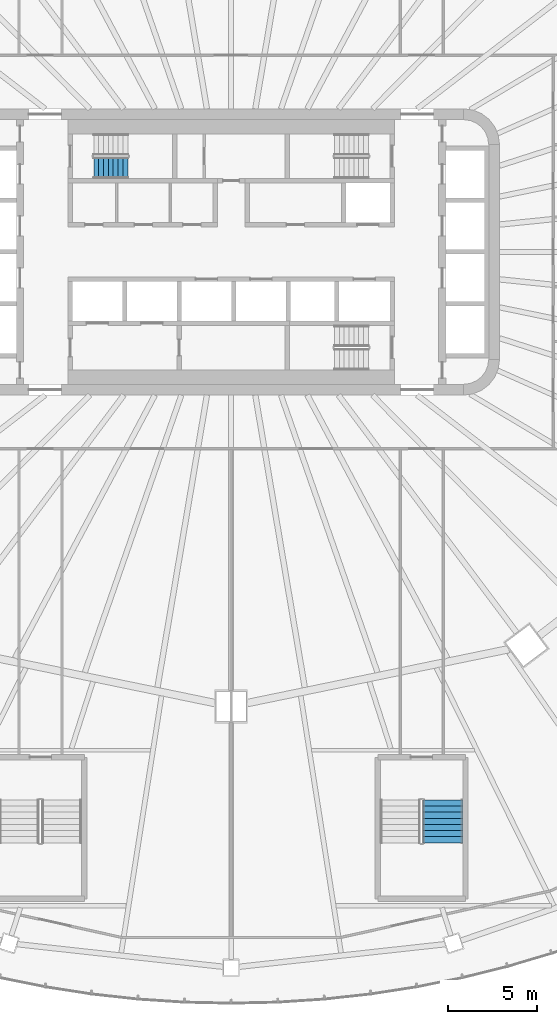
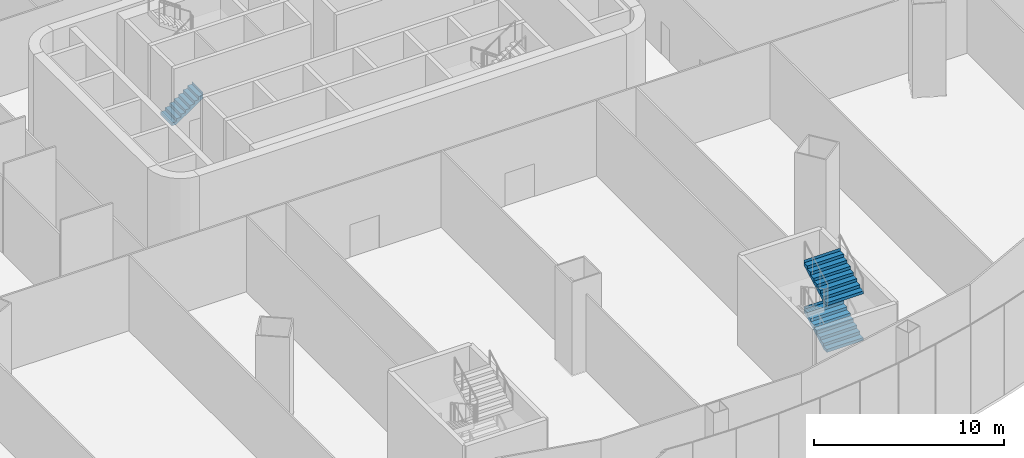
# One storey, part 29 of 37: 3 stair flights, 2 elements without a shape of their own.
"""IFC4 building model written with IfcOpenShell, lengths in metres."""

from ifc_helpers import new_model, si_unit, direction, frame, origin, place, context, subcontext, project, spatial, triangles, material, type_object, element, aggregate, save


model = new_model("IFC4")

# Units and contexts
model_context = context("Model", 3, precision=1e-05, world=origin(), true_north=direction((0.0, 1.0)))
body_context = subcontext(model_context, "Body", "Model", "MODEL_VIEW")
ifc_project = project(units=[si_unit("LENGTHUNIT", "METRE"), si_unit("AREAUNIT", "SQUARE_METRE"), si_unit("VOLUMEUNIT", "CUBIC_METRE"), si_unit("PLANEANGLEUNIT", "RADIAN"), si_unit("MASSUNIT", "GRAM", prefix="KILO")], contexts=[model_context])

# Site, building, storey
site_placement = place(None, origin())
site = spatial("IfcSite", under=ifc_project, at=site_placement, CompositionType="ELEMENT")
building_placement = place(site_placement, origin())
building = spatial("IfcBuilding", under=site, at=building_placement, Name="Sahrelin Media Tower", CompositionType="ELEMENT")
storey_placement = place(building_placement, frame((0.0, 0.0, 31.39990234375)))
storey = spatial("IfcBuildingStorey", under=building, at=storey_placement, Name="L04", CompositionType="ELEMENT", Elevation=31.39990234375)

# Stair, stair flight
ifc_material = material(Name="Concrete C40/50", Category="concrete")
stair_type_1 = type_object("IfcStairType", Name="Exit stair 1200", PredefinedType="HALF_TURN_STAIR", material=ifc_material)
placement = place(storey_placement, origin())
stair_1 = element("IfcStair", 1, at=placement, inside=storey, type_object=stair_type_1, Name="L04 Exit stair ST1", PredefinedType="HALF_TURN_STAIR")
stair_flight_type_1 = type_object("IfcStairFlightType", Name="Stair flight 1200", PredefinedType="STRAIGHT", material=ifc_material)
stair_flight_1_placement = place(storey_placement, frame((-7.675048828125, 4.699951171875, 0.0), z_axis=(0.0, 0.0, 1.0), x_axis=(1.0, 0.0, 0.0)))
stair_flight_1 = element("IfcStairFlight", 2, at=stair_flight_1_placement, type_object=stair_flight_type_1, Name="ST1 flight 1", NumberOfRisers=8, NumberOfTreads=7, PredefinedType="STRAIGHT", RiserHeight=0.1875, TreadLength=0.271428571, context=body_context, shape_type="Tessellation", body=[
    triangles([(0.263671875, 0.60009765625, 0.0), (0.263671875, 0.300048828125, 0.0), (0.263671875, 0.0, 0.0), (0.263671875, -0.300048828125, 0.0), (0.263671875, -0.60009765625, 0.0), (1.89990234375, 0.60009765625, 1.13037109375), (1.89990234375, 0.300048828125, 1.13037109375), (1.89990234375, 0.0, 1.13037109375), (1.89990234375, -0.300048828125, 1.13037109375), (1.89990234375, -0.60009765625, 1.13037109375), (1.89990234375, 0.60009765625, 1.5), (1.89990234375, 0.300048828125, 1.5), (1.89990234375, 0.0, 1.5), (1.89990234375, -0.300048828125, 1.5), (1.89990234375, -0.60009765625, 1.5), (1.89794921875, 0.60009765625, 1.5), (1.89794921875, 0.300048828125, 1.5), (1.89794921875, 0.0, 1.5), (1.89794921875, -0.300048828125, 1.5), (1.89794921875, -0.60009765625, 1.5), (1.89794921875, 0.60009765625, 1.3125), (1.89794921875, 0.300048828125, 1.3125), (1.89794921875, 0.0, 1.3125), (1.89794921875, -0.300048828125, 1.3125), (1.89794921875, -0.60009765625, 1.3125), (1.628662109375, 0.60009765625, 1.3125), (1.628662109375, 0.300048828125, 1.3125), (1.628662109375, 0.0, 1.3125), (1.628662109375, -0.300048828125, 1.3125), (1.628662109375, -0.60009765625, 1.3125), (1.628662109375, 0.60009765625, 1.125), (1.628662109375, 0.300048828125, 1.125), (1.628662109375, 0.0, 1.125), (1.628662109375, -0.300048828125, 1.125), (1.628662109375, -0.60009765625, 1.125), (1.357177734375, 0.60009765625, 1.125), (1.357177734375, 0.300048828125, 1.125), (1.357177734375, 0.0, 1.125), (1.357177734375, -0.300048828125, 1.125), (1.357177734375, -0.60009765625, 1.125), (1.357177734375, 0.60009765625, 0.9375), (1.357177734375, 0.300048828125, 0.9375), (1.357177734375, 0.0, 0.9375), (1.357177734375, -0.300048828125, 0.9375), (1.357177734375, -0.60009765625, 0.9375), (1.085693359375, 0.60009765625, 0.9375), (1.085693359375, 0.300048828125, 0.9375), (1.085693359375, 0.0, 0.9375), (1.085693359375, -0.300048828125, 0.9375), (1.085693359375, -0.60009765625, 0.9375), (1.085693359375, 0.60009765625, 0.75), (1.085693359375, 0.300048828125, 0.75), (1.085693359375, 0.0, 0.75), (1.085693359375, -0.300048828125, 0.75), (1.085693359375, -0.60009765625, 0.75), (0.814208984375, 0.60009765625, 0.75), (0.814208984375, 0.300048828125, 0.75), (0.814208984375, 0.0, 0.75), (0.814208984375, -0.300048828125, 0.75), (0.814208984375, -0.60009765625, 0.75), (0.814208984375, 0.60009765625, 0.5625), (0.814208984375, 0.300048828125, 0.5625), (0.814208984375, 0.0, 0.5625), (0.814208984375, -0.300048828125, 0.5625), (0.814208984375, -0.60009765625, 0.5625), (0.54296875, 0.60009765625, 0.5625), (0.54296875, 0.300048828125, 0.5625), (0.54296875, 0.0, 0.5625), (0.54296875, -0.300048828125, 0.5625), (0.54296875, -0.60009765625, 0.5625), (0.54296875, 0.60009765625, 0.375), (0.54296875, 0.300048828125, 0.375), (0.54296875, 0.0, 0.375), (0.54296875, -0.300048828125, 0.375), (0.54296875, -0.60009765625, 0.375), (0.271484375, 0.60009765625, 0.375), (0.271484375, 0.300048828125, 0.375), (0.271484375, 0.0, 0.375), (0.271484375, -0.300048828125, 0.375), (0.271484375, -0.60009765625, 0.375), (0.271484375, 0.60009765625, 0.1875), (0.271484375, 0.300048828125, 0.1875), (0.271484375, 0.0, 0.1875), (0.271484375, -0.300048828125, 0.1875), (0.271484375, -0.60009765625, 0.1875), (0.0, 0.60009765625, 0.1875), (0.0, 0.300048828125, 0.1875), (0.0, 0.0, 0.1875), (0.0, -0.300048828125, 0.1875), (0.0, -0.60009765625, 0.1875), (0.0, 0.60009765625, 0.0), (0.0, 0.300048828125, 0.0), (0.0, 0.0, 0.0), (0.0, -0.300048828125, 0.0), (0.0, -0.60009765625, 0.0)], [[1, 6, 7], [1, 7, 2], [2, 7, 8], [2, 8, 3], [3, 8, 9], [3, 9, 4], [4, 9, 10], [4, 10, 5], [6, 11, 12], [6, 12, 7], [7, 12, 13], [7, 13, 8], [8, 13, 14], [8, 14, 9], [9, 14, 15], [9, 15, 10], [11, 16, 17], [11, 17, 12], [12, 17, 18], [12, 18, 13], [13, 18, 19], [13, 19, 14], [14, 19, 20], [14, 20, 15], [16, 21, 22], [16, 22, 17], [17, 22, 23], [17, 23, 18], [18, 23, 24], [18, 24, 19], [19, 24, 25], [19, 25, 20], [21, 26, 27], [21, 27, 22], [22, 27, 28], [22, 28, 23], [23, 28, 29], [23, 29, 24], [24, 29, 30], [24, 30, 25], [26, 31, 32], [26, 32, 27], [27, 32, 33], [27, 33, 28], [28, 33, 34], [28, 34, 29], [29, 34, 35], [29, 35, 30], [31, 36, 37], [31, 37, 32], [32, 37, 38], [32, 38, 33], [33, 38, 39], [33, 39, 34], [34, 39, 40], [34, 40, 35], [36, 41, 42], [36, 42, 37], [37, 42, 43], [37, 43, 38], [38, 43, 44], [38, 44, 39], [39, 44, 45], [39, 45, 40], [41, 46, 47], [41, 47, 42], [42, 47, 48], [42, 48, 43], [43, 48, 49], [43, 49, 44], [44, 49, 50], [44, 50, 45], [46, 51, 52], [46, 52, 47], [47, 52, 53], [47, 53, 48], [48, 53, 54], [48, 54, 49], [49, 54, 55], [49, 55, 50], [51, 56, 57], [51, 57, 52], [52, 57, 58], [52, 58, 53], [53, 58, 59], [53, 59, 54], [54, 59, 60], [54, 60, 55], [56, 61, 62], [56, 62, 57], [57, 62, 63], [57, 63, 58], [58, 63, 64], [58, 64, 59], [59, 64, 65], [59, 65, 60], [61, 66, 67], [61, 67, 62], [62, 67, 68], [62, 68, 63], [63, 68, 69], [63, 69, 64], [64, 69, 70], [64, 70, 65], [66, 71, 72], [66, 72, 67], [67, 72, 73], [67, 73, 68], [68, 73, 74], [68, 74, 69], [69, 74, 75], [69, 75, 70], [71, 76, 77], [71, 77, 72], [72, 77, 78], [72, 78, 73], [73, 78, 79], [73, 79, 74], [74, 79, 80], [74, 80, 75], [76, 81, 82], [76, 82, 77], [77, 82, 83], [77, 83, 78], [78, 83, 84], [78, 84, 79], [79, 84, 85], [79, 85, 80], [81, 86, 87], [81, 87, 82], [82, 87, 88], [82, 88, 83], [83, 88, 89], [83, 89, 84], [84, 89, 90], [84, 90, 85], [86, 91, 92], [86, 92, 87], [87, 92, 93], [87, 93, 88], [88, 93, 94], [88, 94, 89], [89, 94, 95], [89, 95, 90], [91, 1, 2], [91, 2, 92], [92, 2, 3], [92, 3, 93], [93, 3, 4], [93, 4, 94], [94, 4, 5], [94, 5, 95], [5, 90, 95], [1, 91, 86], [85, 75, 80], [81, 76, 71], [75, 65, 70], [71, 66, 61], [65, 55, 60], [61, 56, 51], [55, 45, 50], [51, 46, 41], [45, 35, 40], [41, 36, 31], [10, 25, 30], [6, 26, 21], [25, 15, 20], [21, 16, 11], [5, 85, 90], [1, 86, 81], [55, 65, 5], [51, 1, 61], [10, 35, 45], [6, 41, 31], [25, 10, 15], [21, 11, 6], [75, 85, 5], [71, 1, 81], [45, 55, 10], [41, 6, 51], [30, 35, 10], [26, 6, 31], [65, 75, 5], [61, 1, 71], [5, 10, 55], [1, 51, 6]], closed=True),
])
aggregate(stair_1, [stair_flight_1])

# Stair, stair flights
stair_type_2 = type_object("IfcStairType", Name="Podium stair 2225", PredefinedType="HALF_TURN_STAIR", material=ifc_material)
stair_2 = element("IfcStair", 3, at=placement, inside=storey, type_object=stair_type_2, Name="L04 Podium stair PS4", PredefinedType="HALF_TURN_STAIR")
stair_flight_type_2 = type_object("IfcStairFlightType", Name="Stair flight 2225", PredefinedType="STRAIGHT", material=ifc_material)
stair_flight_2_placement = place(storey_placement, frame((11.83740234375, -33.02490234375, 1.5), z_axis=(0.0, 0.0, 1.0), x_axis=(0.0, 1.0, 0.0)))
stair_flight_2 = element("IfcStairFlight", 4, at=stair_flight_2_placement, type_object=stair_flight_type_2, Name="PS4 flight 2", NumberOfRisers=8, NumberOfTreads=7, PredefinedType="STRAIGHT", RiserHeight=0.1875, TreadLength=0.342857143, context=body_context, shape_type="Tessellation", body=[
    triangles([(0.3125, 1.112548828125, 0.0), (0.3125, 0.794677734375, 0.0), (0.3125, 0.476806640625, 0.0), (0.3125, 0.158935546875, 0.0), (0.3125, -0.158935546875, 0.0), (0.3125, -0.476806640625, 0.0), (0.3125, -0.794677734375, 0.0), (0.3125, -1.112548828125, 0.0), (2.39990234375, 1.112548828125, 1.1416015625), (2.39990234375, 0.794677734375, 1.1416015625), (2.39990234375, 0.476806640625, 1.1416015625), (2.39990234375, 0.158935546875, 1.1416015625), (2.39990234375, -0.158935546875, 1.1416015625), (2.39990234375, -0.476806640625, 1.1416015625), (2.39990234375, -0.794677734375, 1.1416015625), (2.39990234375, -1.112548828125, 1.1416015625), (2.39990234375, 1.112548828125, 1.5), (2.39990234375, 0.794677734375, 1.5), (2.39990234375, 0.476806640625, 1.5), (2.39990234375, 0.158935546875, 1.5), (2.39990234375, -0.158935546875, 1.5), (2.39990234375, -0.476806640625, 1.5), (2.39990234375, -0.794677734375, 1.5), (2.39990234375, -1.112548828125, 1.5), (2.39794921875, 1.112548828125, 1.5), (2.39794921875, 0.794677734375, 1.5), (2.39794921875, 0.476806640625, 1.5), (2.39794921875, 0.158935546875, 1.5), (2.39794921875, -0.158935546875, 1.5), (2.39794921875, -0.476806640625, 1.5), (2.39794921875, -0.794677734375, 1.5), (2.39794921875, -1.112548828125, 1.5), (2.39794921875, 1.112548828125, 1.3125), (2.39794921875, 0.794677734375, 1.3125), (2.39794921875, 0.476806640625, 1.3125), (2.39794921875, 0.158935546875, 1.3125), (2.39794921875, -0.158935546875, 1.3125), (2.39794921875, -0.476806640625, 1.3125), (2.39794921875, -0.794677734375, 1.3125), (2.39794921875, -1.112548828125, 1.3125), (2.05712890625, 1.112548828125, 1.3125), (2.05712890625, 0.794677734375, 1.3125), (2.05712890625, 0.476806640625, 1.3125), (2.05712890625, 0.158935546875, 1.3125), (2.05712890625, -0.158935546875, 1.3125), (2.05712890625, -0.476806640625, 1.3125), (2.05712890625, -0.794677734375, 1.3125), (2.05712890625, -1.112548828125, 1.3125), (2.05712890625, 1.112548828125, 1.125), (2.05712890625, 0.794677734375, 1.125), (2.05712890625, 0.476806640625, 1.125), (2.05712890625, 0.158935546875, 1.125), (2.05712890625, -0.158935546875, 1.125), (2.05712890625, -0.476806640625, 1.125), (2.05712890625, -0.794677734375, 1.125), (2.05712890625, -1.112548828125, 1.125), (1.71435546875, 1.112548828125, 1.125), (1.71435546875, 0.794677734375, 1.125), (1.71435546875, 0.476806640625, 1.125), (1.71435546875, 0.158935546875, 1.125), (1.71435546875, -0.158935546875, 1.125), (1.71435546875, -0.476806640625, 1.125), (1.71435546875, -0.794677734375, 1.125), (1.71435546875, -1.112548828125, 1.125), (1.71435546875, 1.112548828125, 0.9375), (1.71435546875, 0.794677734375, 0.9375), (1.71435546875, 0.476806640625, 0.9375), (1.71435546875, 0.158935546875, 0.9375), (1.71435546875, -0.158935546875, 0.9375), (1.71435546875, -0.476806640625, 0.9375), (1.71435546875, -0.794677734375, 0.9375), (1.71435546875, -1.112548828125, 0.9375), (1.371337890625, 1.112548828125, 0.9375), (1.371337890625, 0.794677734375, 0.9375), (1.371337890625, 0.476806640625, 0.9375), (1.371337890625, 0.158935546875, 0.9375), (1.371337890625, -0.158935546875, 0.9375), (1.371337890625, -0.476806640625, 0.9375), (1.371337890625, -0.794677734375, 0.9375), (1.371337890625, -1.112548828125, 0.9375), (1.371337890625, 1.112548828125, 0.75), (1.371337890625, 0.794677734375, 0.75), (1.371337890625, 0.476806640625, 0.75), (1.371337890625, 0.158935546875, 0.75), (1.371337890625, -0.158935546875, 0.75), (1.371337890625, -0.476806640625, 0.75), (1.371337890625, -0.794677734375, 0.75), (1.371337890625, -1.112548828125, 0.75), (1.028564453125, 1.112548828125, 0.75), (1.028564453125, 0.794677734375, 0.75), (1.028564453125, 0.476806640625, 0.75), (1.028564453125, 0.158935546875, 0.75), (1.028564453125, -0.158935546875, 0.75), (1.028564453125, -0.476806640625, 0.75), (1.028564453125, -0.794677734375, 0.75), (1.028564453125, -1.112548828125, 0.75), (1.028564453125, 1.112548828125, 0.5625), (1.028564453125, 0.794677734375, 0.5625), (1.028564453125, 0.476806640625, 0.5625), (1.028564453125, 0.158935546875, 0.5625), (1.028564453125, -0.158935546875, 0.5625), (1.028564453125, -0.476806640625, 0.5625), (1.028564453125, -0.794677734375, 0.5625), (1.028564453125, -1.112548828125, 0.5625), (0.685791015625, 1.112548828125, 0.5625), (0.685791015625, 0.794677734375, 0.5625), (0.685791015625, 0.476806640625, 0.5625), (0.685791015625, 0.158935546875, 0.5625), (0.685791015625, -0.158935546875, 0.5625), (0.685791015625, -0.476806640625, 0.5625), (0.685791015625, -0.794677734375, 0.5625), (0.685791015625, -1.112548828125, 0.5625), (0.685791015625, 1.112548828125, 0.375), (0.685791015625, 0.794677734375, 0.375), (0.685791015625, 0.476806640625, 0.375), (0.685791015625, 0.158935546875, 0.375), (0.685791015625, -0.158935546875, 0.375), (0.685791015625, -0.476806640625, 0.375), (0.685791015625, -0.794677734375, 0.375), (0.685791015625, -1.112548828125, 0.375), (0.3427734375, 1.112548828125, 0.375), (0.3427734375, 0.794677734375, 0.375), (0.3427734375, 0.476806640625, 0.375), (0.3427734375, 0.158935546875, 0.375), (0.3427734375, -0.158935546875, 0.375), (0.3427734375, -0.476806640625, 0.375), (0.3427734375, -0.794677734375, 0.375), (0.3427734375, -1.112548828125, 0.375), (0.3427734375, 1.112548828125, 0.1875), (0.3427734375, 0.794677734375, 0.1875), (0.3427734375, 0.476806640625, 0.1875), (0.3427734375, 0.158935546875, 0.1875), (0.3427734375, -0.158935546875, 0.1875), (0.3427734375, -0.476806640625, 0.1875), (0.3427734375, -0.794677734375, 0.1875), (0.3427734375, -1.112548828125, 0.1875), (0.0, 1.112548828125, 0.1875), (0.0, 0.794677734375, 0.1875), (0.0, 0.476806640625, 0.1875), (0.0, 0.158935546875, 0.1875), (0.0, -0.158935546875, 0.1875), (0.0, -0.476806640625, 0.1875), (0.0, -0.794677734375, 0.1875), (0.0, -1.112548828125, 0.1875), (0.0, 1.112548828125, 0.0), (0.0, 0.794677734375, 0.0), (0.0, 0.476806640625, 0.0), (0.0, 0.158935546875, 0.0), (0.0, -0.158935546875, 0.0), (0.0, -0.476806640625, 0.0), (0.0, -0.794677734375, 0.0), (0.0, -1.112548828125, 0.0)], [[1, 9, 10], [1, 10, 2], [2, 10, 11], [2, 11, 3], [3, 11, 12], [3, 12, 4], [4, 12, 13], [4, 13, 5], [5, 13, 14], [5, 14, 6], [6, 14, 15], [6, 15, 7], [7, 15, 16], [7, 16, 8], [9, 17, 18], [9, 18, 10], [10, 18, 19], [10, 19, 11], [11, 19, 20], [11, 20, 12], [12, 20, 21], [12, 21, 13], [13, 21, 22], [13, 22, 14], [14, 22, 23], [14, 23, 15], [15, 23, 24], [15, 24, 16], [17, 25, 26], [17, 26, 18], [18, 26, 27], [18, 27, 19], [19, 27, 28], [19, 28, 20], [20, 28, 29], [20, 29, 21], [21, 29, 30], [21, 30, 22], [22, 30, 31], [22, 31, 23], [23, 31, 32], [23, 32, 24], [25, 33, 34], [25, 34, 26], [26, 34, 35], [26, 35, 27], [27, 35, 36], [27, 36, 28], [28, 36, 37], [28, 37, 29], [29, 37, 38], [29, 38, 30], [30, 38, 39], [30, 39, 31], [31, 39, 40], [31, 40, 32], [33, 41, 42], [33, 42, 34], [34, 42, 43], [34, 43, 35], [35, 43, 44], [35, 44, 36], [36, 44, 45], [36, 45, 37], [37, 45, 46], [37, 46, 38], [38, 46, 47], [38, 47, 39], [39, 47, 48], [39, 48, 40], [41, 49, 50], [41, 50, 42], [42, 50, 51], [42, 51, 43], [43, 51, 52], [43, 52, 44], [44, 52, 53], [44, 53, 45], [45, 53, 54], [45, 54, 46], [46, 54, 55], [46, 55, 47], [47, 55, 56], [47, 56, 48], [49, 57, 58], [49, 58, 50], [50, 58, 59], [50, 59, 51], [51, 59, 60], [51, 60, 52], [52, 60, 61], [52, 61, 53], [53, 61, 62], [53, 62, 54], [54, 62, 63], [54, 63, 55], [55, 63, 64], [55, 64, 56], [57, 65, 66], [57, 66, 58], [58, 66, 67], [58, 67, 59], [59, 67, 68], [59, 68, 60], [60, 68, 69], [60, 69, 61], [61, 69, 70], [61, 70, 62], [62, 70, 71], [62, 71, 63], [63, 71, 72], [63, 72, 64], [65, 73, 74], [65, 74, 66], [66, 74, 75], [66, 75, 67], [67, 75, 76], [67, 76, 68], [68, 76, 77], [68, 77, 69], [69, 77, 78], [69, 78, 70], [70, 78, 79], [70, 79, 71], [71, 79, 80], [71, 80, 72], [73, 81, 82], [73, 82, 74], [74, 82, 83], [74, 83, 75], [75, 83, 84], [75, 84, 76], [76, 84, 85], [76, 85, 77], [77, 85, 86], [77, 86, 78], [78, 86, 87], [78, 87, 79], [79, 87, 88], [79, 88, 80], [81, 89, 90], [81, 90, 82], [82, 90, 91], [82, 91, 83], [83, 91, 92], [83, 92, 84], [84, 92, 93], [84, 93, 85], [85, 93, 94], [85, 94, 86], [86, 94, 95], [86, 95, 87], [87, 95, 96], [87, 96, 88], [89, 97, 98], [89, 98, 90], [90, 98, 99], [90, 99, 91], [91, 99, 100], [91, 100, 92], [92, 100, 101], [92, 101, 93], [93, 101, 102], [93, 102, 94], [94, 102, 103], [94, 103, 95], [95, 103, 104], [95, 104, 96], [97, 105, 106], [97, 106, 98], [98, 106, 107], [98, 107, 99], [99, 107, 108], [99, 108, 100], [100, 108, 109], [100, 109, 101], [101, 109, 110], [101, 110, 102], [102, 110, 111], [102, 111, 103], [103, 111, 112], [103, 112, 104], [105, 113, 114], [105, 114, 106], [106, 114, 115], [106, 115, 107], [107, 115, 116], [107, 116, 108], [108, 116, 117], [108, 117, 109], [109, 117, 118], [109, 118, 110], [110, 118, 119], [110, 119, 111], [111, 119, 120], [111, 120, 112], [113, 121, 122], [113, 122, 114], [114, 122, 123], [114, 123, 115], [115, 123, 124], [115, 124, 116], [116, 124, 125], [116, 125, 117], [117, 125, 126], [117, 126, 118], [118, 126, 127], [118, 127, 119], [119, 127, 128], [119, 128, 120], [121, 129, 130], [121, 130, 122], [122, 130, 131], [122, 131, 123], [123, 131, 132], [123, 132, 124], [124, 132, 133], [124, 133, 125], [125, 133, 134], [125, 134, 126], [126, 134, 135], [126, 135, 127], [127, 135, 136], [127, 136, 128], [129, 137, 138], [129, 138, 130], [130, 138, 139], [130, 139, 131], [131, 139, 140], [131, 140, 132], [132, 140, 141], [132, 141, 133], [133, 141, 142], [133, 142, 134], [134, 142, 143], [134, 143, 135], [135, 143, 144], [135, 144, 136], [137, 145, 146], [137, 146, 138], [138, 146, 147], [138, 147, 139], [139, 147, 148], [139, 148, 140], [140, 148, 149], [140, 149, 141], [141, 149, 150], [141, 150, 142], [142, 150, 151], [142, 151, 143], [143, 151, 152], [143, 152, 144], [145, 1, 2], [145, 2, 146], [146, 2, 3], [146, 3, 147], [147, 3, 4], [147, 4, 148], [148, 4, 5], [148, 5, 149], [149, 5, 6], [149, 6, 150], [150, 6, 7], [150, 7, 151], [151, 7, 8], [151, 8, 152], [8, 144, 152], [1, 145, 137], [136, 120, 128], [129, 121, 113], [120, 104, 112], [113, 105, 97], [104, 88, 96], [97, 89, 81], [88, 72, 80], [81, 73, 65], [72, 56, 64], [65, 57, 49], [16, 40, 48], [9, 41, 33], [40, 24, 32], [33, 25, 17], [8, 136, 144], [1, 137, 129], [8, 88, 104], [1, 97, 81], [40, 16, 24], [33, 17, 9], [120, 136, 8], [113, 1, 129], [16, 72, 88], [9, 81, 65], [48, 56, 16], [41, 9, 49], [104, 120, 8], [97, 1, 113], [72, 16, 56], [65, 49, 9], [8, 16, 88], [1, 81, 9]], closed=True),
])
stair_flight_3_placement = place(storey_placement, frame((11.83740234375, -33.02490234375, 4.5), z_axis=(0.0, 0.0, 1.0), x_axis=(0.0, 1.0, 0.0)))
stair_flight_3 = element("IfcStairFlight", 5, at=stair_flight_3_placement, type_object=stair_flight_type_2, Name="PS4 flight 4", NumberOfRisers=8, NumberOfTreads=7, PredefinedType="STRAIGHT", RiserHeight=0.1875, TreadLength=0.342857143, context=body_context, shape_type="Tessellation", body=[
    triangles([(0.3125, 1.112548828125, 0.0), (0.3125, 0.794677734375, 0.0), (0.3125, 0.476806640625, 0.0), (0.3125, 0.158935546875, 0.0), (0.3125, -0.158935546875, 0.0), (0.3125, -0.476806640625, 0.0), (0.3125, -0.794677734375, 0.0), (0.3125, -1.112548828125, 0.0), (2.39990234375, 1.112548828125, 1.1416015625), (2.39990234375, 0.794677734375, 1.1416015625), (2.39990234375, 0.476806640625, 1.1416015625), (2.39990234375, 0.158935546875, 1.1416015625), (2.39990234375, -0.158935546875, 1.1416015625), (2.39990234375, -0.476806640625, 1.1416015625), (2.39990234375, -0.794677734375, 1.1416015625), (2.39990234375, -1.112548828125, 1.1416015625), (2.39990234375, 1.112548828125, 1.5), (2.39990234375, 0.794677734375, 1.5), (2.39990234375, 0.476806640625, 1.5), (2.39990234375, 0.158935546875, 1.5), (2.39990234375, -0.158935546875, 1.5), (2.39990234375, -0.476806640625, 1.5), (2.39990234375, -0.794677734375, 1.5), (2.39990234375, -1.112548828125, 1.5), (2.39794921875, 1.112548828125, 1.5), (2.39794921875, 0.794677734375, 1.5), (2.39794921875, 0.476806640625, 1.5), (2.39794921875, 0.158935546875, 1.5), (2.39794921875, -0.158935546875, 1.5), (2.39794921875, -0.476806640625, 1.5), (2.39794921875, -0.794677734375, 1.5), (2.39794921875, -1.112548828125, 1.5), (2.39794921875, 1.112548828125, 1.3125), (2.39794921875, 0.794677734375, 1.3125), (2.39794921875, 0.476806640625, 1.3125), (2.39794921875, 0.158935546875, 1.3125), (2.39794921875, -0.158935546875, 1.3125), (2.39794921875, -0.476806640625, 1.3125), (2.39794921875, -0.794677734375, 1.3125), (2.39794921875, -1.112548828125, 1.3125), (2.05712890625, 1.112548828125, 1.3125), (2.05712890625, 0.794677734375, 1.3125), (2.05712890625, 0.476806640625, 1.3125), (2.05712890625, 0.158935546875, 1.3125), (2.05712890625, -0.158935546875, 1.3125), (2.05712890625, -0.476806640625, 1.3125), (2.05712890625, -0.794677734375, 1.3125), (2.05712890625, -1.112548828125, 1.3125), (2.05712890625, 1.112548828125, 1.125), (2.05712890625, 0.794677734375, 1.125), (2.05712890625, 0.476806640625, 1.125), (2.05712890625, 0.158935546875, 1.125), (2.05712890625, -0.158935546875, 1.125), (2.05712890625, -0.476806640625, 1.125), (2.05712890625, -0.794677734375, 1.125), (2.05712890625, -1.112548828125, 1.125), (1.71435546875, 1.112548828125, 1.125), (1.71435546875, 0.794677734375, 1.125), (1.71435546875, 0.476806640625, 1.125), (1.71435546875, 0.158935546875, 1.125), (1.71435546875, -0.158935546875, 1.125), (1.71435546875, -0.476806640625, 1.125), (1.71435546875, -0.794677734375, 1.125), (1.71435546875, -1.112548828125, 1.125), (1.71435546875, 1.112548828125, 0.9375), (1.71435546875, 0.794677734375, 0.9375), (1.71435546875, 0.476806640625, 0.9375), (1.71435546875, 0.158935546875, 0.9375), (1.71435546875, -0.158935546875, 0.9375), (1.71435546875, -0.476806640625, 0.9375), (1.71435546875, -0.794677734375, 0.9375), (1.71435546875, -1.112548828125, 0.9375), (1.371337890625, 1.112548828125, 0.9375), (1.371337890625, 0.794677734375, 0.9375), (1.371337890625, 0.476806640625, 0.9375), (1.371337890625, 0.158935546875, 0.9375), (1.371337890625, -0.158935546875, 0.9375), (1.371337890625, -0.476806640625, 0.9375), (1.371337890625, -0.794677734375, 0.9375), (1.371337890625, -1.112548828125, 0.9375), (1.371337890625, 1.112548828125, 0.75), (1.371337890625, 0.794677734375, 0.75), (1.371337890625, 0.476806640625, 0.75), (1.371337890625, 0.158935546875, 0.75), (1.371337890625, -0.158935546875, 0.75), (1.371337890625, -0.476806640625, 0.75), (1.371337890625, -0.794677734375, 0.75), (1.371337890625, -1.112548828125, 0.75), (1.028564453125, 1.112548828125, 0.75), (1.028564453125, 0.794677734375, 0.75), (1.028564453125, 0.476806640625, 0.75), (1.028564453125, 0.158935546875, 0.75), (1.028564453125, -0.158935546875, 0.75), (1.028564453125, -0.476806640625, 0.75), (1.028564453125, -0.794677734375, 0.75), (1.028564453125, -1.112548828125, 0.75), (1.028564453125, 1.112548828125, 0.5625), (1.028564453125, 0.794677734375, 0.5625), (1.028564453125, 0.476806640625, 0.5625), (1.028564453125, 0.158935546875, 0.5625), (1.028564453125, -0.158935546875, 0.5625), (1.028564453125, -0.476806640625, 0.5625), (1.028564453125, -0.794677734375, 0.5625), (1.028564453125, -1.112548828125, 0.5625), (0.685791015625, 1.112548828125, 0.5625), (0.685791015625, 0.794677734375, 0.5625), (0.685791015625, 0.476806640625, 0.5625), (0.685791015625, 0.158935546875, 0.5625), (0.685791015625, -0.158935546875, 0.5625), (0.685791015625, -0.476806640625, 0.5625), (0.685791015625, -0.794677734375, 0.5625), (0.685791015625, -1.112548828125, 0.5625), (0.685791015625, 1.112548828125, 0.375), (0.685791015625, 0.794677734375, 0.375), (0.685791015625, 0.476806640625, 0.375), (0.685791015625, 0.158935546875, 0.375), (0.685791015625, -0.158935546875, 0.375), (0.685791015625, -0.476806640625, 0.375), (0.685791015625, -0.794677734375, 0.375), (0.685791015625, -1.112548828125, 0.375), (0.3427734375, 1.112548828125, 0.375), (0.3427734375, 0.794677734375, 0.375), (0.3427734375, 0.476806640625, 0.375), (0.3427734375, 0.158935546875, 0.375), (0.3427734375, -0.158935546875, 0.375), (0.3427734375, -0.476806640625, 0.375), (0.3427734375, -0.794677734375, 0.375), (0.3427734375, -1.112548828125, 0.375), (0.3427734375, 1.112548828125, 0.1875), (0.3427734375, 0.794677734375, 0.1875), (0.3427734375, 0.476806640625, 0.1875), (0.3427734375, 0.158935546875, 0.1875), (0.3427734375, -0.158935546875, 0.1875), (0.3427734375, -0.476806640625, 0.1875), (0.3427734375, -0.794677734375, 0.1875), (0.3427734375, -1.112548828125, 0.1875), (0.0, 1.112548828125, 0.1875), (0.0, 0.794677734375, 0.1875), (0.0, 0.476806640625, 0.1875), (0.0, 0.158935546875, 0.1875), (0.0, -0.158935546875, 0.1875), (0.0, -0.476806640625, 0.1875), (0.0, -0.794677734375, 0.1875), (0.0, -1.112548828125, 0.1875), (0.0, 1.112548828125, 0.0), (0.0, 0.794677734375, 0.0), (0.0, 0.476806640625, 0.0), (0.0, 0.158935546875, 0.0), (0.0, -0.158935546875, 0.0), (0.0, -0.476806640625, 0.0), (0.0, -0.794677734375, 0.0), (0.0, -1.112548828125, 0.0)], [[1, 9, 10], [1, 10, 2], [2, 10, 11], [2, 11, 3], [3, 11, 12], [3, 12, 4], [4, 12, 13], [4, 13, 5], [5, 13, 14], [5, 14, 6], [6, 14, 15], [6, 15, 7], [7, 15, 16], [7, 16, 8], [9, 17, 18], [9, 18, 10], [10, 18, 19], [10, 19, 11], [11, 19, 20], [11, 20, 12], [12, 20, 21], [12, 21, 13], [13, 21, 22], [13, 22, 14], [14, 22, 23], [14, 23, 15], [15, 23, 24], [15, 24, 16], [17, 25, 26], [17, 26, 18], [18, 26, 27], [18, 27, 19], [19, 27, 28], [19, 28, 20], [20, 28, 29], [20, 29, 21], [21, 29, 30], [21, 30, 22], [22, 30, 31], [22, 31, 23], [23, 31, 32], [23, 32, 24], [25, 33, 34], [25, 34, 26], [26, 34, 35], [26, 35, 27], [27, 35, 36], [27, 36, 28], [28, 36, 37], [28, 37, 29], [29, 37, 38], [29, 38, 30], [30, 38, 39], [30, 39, 31], [31, 39, 40], [31, 40, 32], [33, 41, 42], [33, 42, 34], [34, 42, 43], [34, 43, 35], [35, 43, 44], [35, 44, 36], [36, 44, 45], [36, 45, 37], [37, 45, 46], [37, 46, 38], [38, 46, 47], [38, 47, 39], [39, 47, 48], [39, 48, 40], [41, 49, 50], [41, 50, 42], [42, 50, 51], [42, 51, 43], [43, 51, 52], [43, 52, 44], [44, 52, 53], [44, 53, 45], [45, 53, 54], [45, 54, 46], [46, 54, 55], [46, 55, 47], [47, 55, 56], [47, 56, 48], [49, 57, 58], [49, 58, 50], [50, 58, 59], [50, 59, 51], [51, 59, 60], [51, 60, 52], [52, 60, 61], [52, 61, 53], [53, 61, 62], [53, 62, 54], [54, 62, 63], [54, 63, 55], [55, 63, 64], [55, 64, 56], [57, 65, 66], [57, 66, 58], [58, 66, 67], [58, 67, 59], [59, 67, 68], [59, 68, 60], [60, 68, 69], [60, 69, 61], [61, 69, 70], [61, 70, 62], [62, 70, 71], [62, 71, 63], [63, 71, 72], [63, 72, 64], [65, 73, 74], [65, 74, 66], [66, 74, 75], [66, 75, 67], [67, 75, 76], [67, 76, 68], [68, 76, 77], [68, 77, 69], [69, 77, 78], [69, 78, 70], [70, 78, 79], [70, 79, 71], [71, 79, 80], [71, 80, 72], [73, 81, 82], [73, 82, 74], [74, 82, 83], [74, 83, 75], [75, 83, 84], [75, 84, 76], [76, 84, 85], [76, 85, 77], [77, 85, 86], [77, 86, 78], [78, 86, 87], [78, 87, 79], [79, 87, 88], [79, 88, 80], [81, 89, 90], [81, 90, 82], [82, 90, 91], [82, 91, 83], [83, 91, 92], [83, 92, 84], [84, 92, 93], [84, 93, 85], [85, 93, 94], [85, 94, 86], [86, 94, 95], [86, 95, 87], [87, 95, 96], [87, 96, 88], [89, 97, 98], [89, 98, 90], [90, 98, 99], [90, 99, 91], [91, 99, 100], [91, 100, 92], [92, 100, 101], [92, 101, 93], [93, 101, 102], [93, 102, 94], [94, 102, 103], [94, 103, 95], [95, 103, 104], [95, 104, 96], [97, 105, 106], [97, 106, 98], [98, 106, 107], [98, 107, 99], [99, 107, 108], [99, 108, 100], [100, 108, 109], [100, 109, 101], [101, 109, 110], [101, 110, 102], [102, 110, 111], [102, 111, 103], [103, 111, 112], [103, 112, 104], [105, 113, 114], [105, 114, 106], [106, 114, 115], [106, 115, 107], [107, 115, 116], [107, 116, 108], [108, 116, 117], [108, 117, 109], [109, 117, 118], [109, 118, 110], [110, 118, 119], [110, 119, 111], [111, 119, 120], [111, 120, 112], [113, 121, 122], [113, 122, 114], [114, 122, 123], [114, 123, 115], [115, 123, 124], [115, 124, 116], [116, 124, 125], [116, 125, 117], [117, 125, 126], [117, 126, 118], [118, 126, 127], [118, 127, 119], [119, 127, 128], [119, 128, 120], [121, 129, 130], [121, 130, 122], [122, 130, 131], [122, 131, 123], [123, 131, 132], [123, 132, 124], [124, 132, 133], [124, 133, 125], [125, 133, 134], [125, 134, 126], [126, 134, 135], [126, 135, 127], [127, 135, 136], [127, 136, 128], [129, 137, 138], [129, 138, 130], [130, 138, 139], [130, 139, 131], [131, 139, 140], [131, 140, 132], [132, 140, 141], [132, 141, 133], [133, 141, 142], [133, 142, 134], [134, 142, 143], [134, 143, 135], [135, 143, 144], [135, 144, 136], [137, 145, 146], [137, 146, 138], [138, 146, 147], [138, 147, 139], [139, 147, 148], [139, 148, 140], [140, 148, 149], [140, 149, 141], [141, 149, 150], [141, 150, 142], [142, 150, 151], [142, 151, 143], [143, 151, 152], [143, 152, 144], [145, 1, 2], [145, 2, 146], [146, 2, 3], [146, 3, 147], [147, 3, 4], [147, 4, 148], [148, 4, 5], [148, 5, 149], [149, 5, 6], [149, 6, 150], [150, 6, 7], [150, 7, 151], [151, 7, 8], [151, 8, 152], [8, 144, 152], [1, 145, 137], [136, 120, 128], [129, 121, 113], [120, 104, 112], [113, 105, 97], [104, 88, 96], [97, 89, 81], [88, 72, 80], [81, 73, 65], [72, 56, 64], [65, 57, 49], [16, 40, 48], [9, 41, 33], [40, 24, 32], [33, 25, 17], [8, 136, 144], [1, 137, 129], [8, 88, 104], [1, 97, 81], [40, 16, 24], [33, 17, 9], [120, 136, 8], [113, 1, 129], [16, 72, 88], [9, 81, 65], [48, 56, 16], [41, 9, 49], [104, 120, 8], [97, 1, 113], [72, 16, 56], [65, 49, 9], [8, 16, 88], [1, 81, 9]], closed=True),
])
aggregate(stair_2, [stair_flight_2, stair_flight_3])

save(model, "model.ifc")
